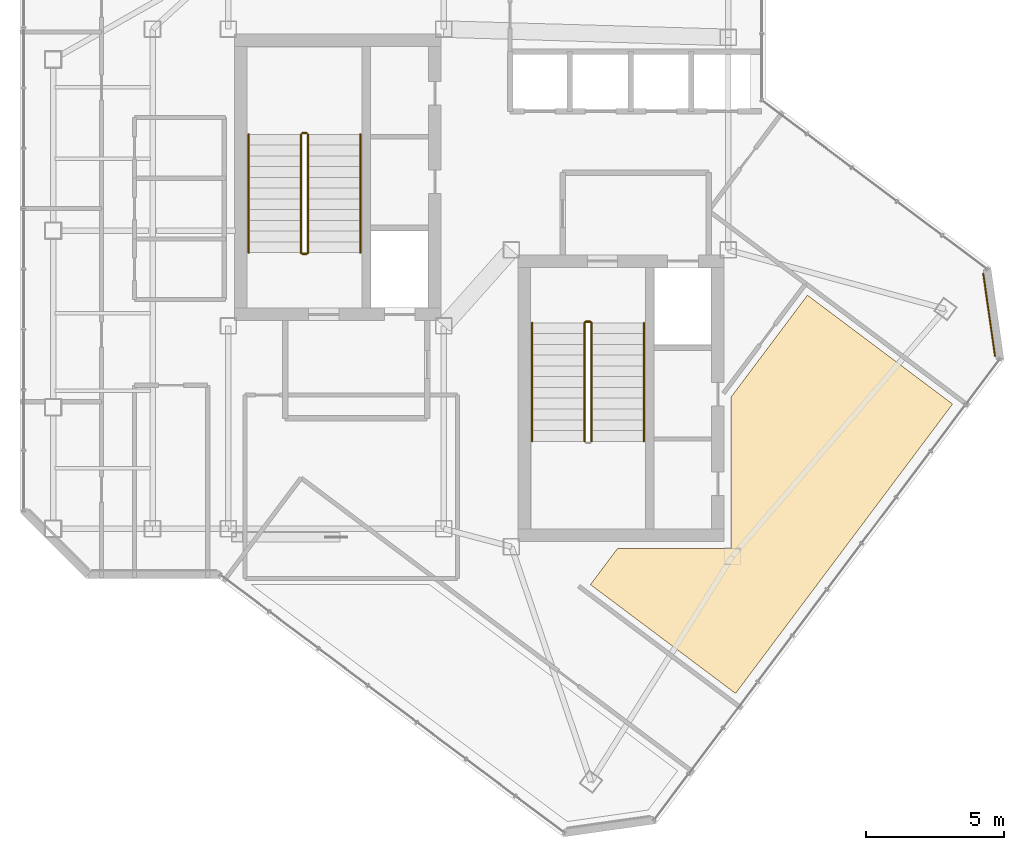
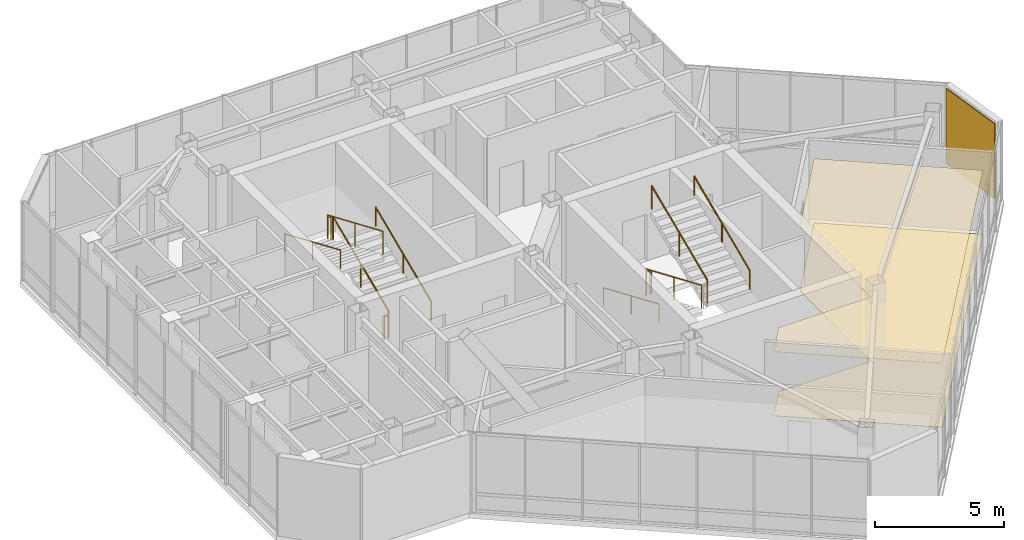
# One storey, part 30 of 31: 13 railings, 3 coverings.
"""IFC4 building model written with IfcOpenShell, lengths in metres."""

from ifc_helpers import new_model, si_unit, direction, frame, origin, origin_2d, place, context, subcontext, project, spatial, polyline, rectangle, circle, outline, extrude, material, layer, layer_set, type_object, element, save


model = new_model("IFC4")

# Units and contexts
model_context = context("Model", 3, precision=1e-05, world=origin(), true_north=direction((0.0, 1.0)))
body_context = subcontext(model_context, "Body", "Model", "MODEL_VIEW")
ifc_project = project(units=[si_unit("LENGTHUNIT", "METRE"), si_unit("AREAUNIT", "SQUARE_METRE"), si_unit("VOLUMEUNIT", "CUBIC_METRE"), si_unit("PLANEANGLEUNIT", "RADIAN"), si_unit("MASSUNIT", "GRAM", prefix="KILO")], contexts=[model_context])

# Site, building, storey
site_placement = place(None, origin())
site = spatial("IfcSite", under=ifc_project, at=site_placement, CompositionType="ELEMENT")
building_placement = place(site_placement, origin())
building = spatial("IfcBuilding", under=site, at=building_placement, Name="Hatsunagi Terrace Concourse", CompositionType="ELEMENT")
storey_placement = place(building_placement, frame((0.0, 0.0, 269.949951171875)))
storey = spatial("IfcBuildingStorey", under=building, at=storey_placement, Name="L71", CompositionType="ELEMENT", Elevation=269.949951171875)

# Coverings
ifc_material_1 = material(Name="Acoustic mineral board", Category="gypsum")
ifc_layer_1 = layer(ifc_material_1, 0.02001953125)
ifc_layer_set_1 = layer_set([ifc_layer_1], Name="AcousticMineralCeiling_20")
covering_type_1 = type_object("IfcCoveringType", Name="AcousticMineralCeiling_20", PredefinedType="CEILING", material=ifc_layer_set_1)
covering_1_placement = place(storey_placement, frame((0.0, 0.0, 3.02001953125)))
element("IfcCovering", 1, at=covering_1_placement, inside=storey, type_object=covering_type_1, Name="Suspended Ceiling L71-1", PredefinedType="CEILING", context=body_context, shape_type="SweptSolid", body=[
    extrude(outline(polyline([(51.77587890625, 29.718017578125), (46.52001953125, 33.659912109375), (43.75, 29.967041015625), (43.75, 24.489990234375), (39.64306640625, 24.489990234375), (38.659912109375, 23.179931640625), (43.916015625, 19.238037109375), (51.77587890625, 29.718017578125)])), origin(), (0.0, 0.0, 1.0), 0.02001953125),
])
ifc_material_2 = material(Name="Hardwood timber", Category="wood")
ifc_layer_2 = layer(ifc_material_2, 0.014892578125)
ifc_layer_set_2 = layer_set([ifc_layer_2], Name="HardwoodTimberFlooring_15")
covering_type_2 = type_object("IfcCoveringType", Name="HardwoodTimberFlooring_15", PredefinedType="FLOORING", material=ifc_layer_set_2)
covering_2_placement = place(storey_placement, origin())
element("IfcCovering", 2, at=covering_2_placement, inside=storey, type_object=covering_type_2, Name="Finished Flooring L71-1", PredefinedType="FLOORING", context=body_context, shape_type="SweptSolid", body=[
    extrude(outline(polyline([(51.77587890625, 29.718017578125), (46.52001953125, 33.659912109375), (43.75, 29.967041015625), (43.75, 24.489990234375), (39.64306640625, 24.489990234375), (38.659912109375, 23.179931640625), (43.916015625, 19.238037109375), (51.77587890625, 29.718017578125)])), origin(), (0.0, 0.0, 1.0), 0.01513671875),
])

# Railings
ifc_material_3 = material(Name="Stainless steel", Category="steel")
ifc_layer_3 = layer(ifc_material_3, 0.044921875)
ifc_layer_set_3 = layer_set([ifc_layer_3], Name="StairPitchHandrail_Tower2000")
railing_type_1 = type_object("IfcRailingType", Name="StairPitchHandrail_Tower2000", PredefinedType="HANDRAIL", material=ifc_layer_set_3)
railing_1_placement = place(storey_placement, frame((30.330078125, 35.199951171875, 0.166748046875)))
element("IfcRailing", 3, at=railing_1_placement, inside=storey, type_object=railing_type_1, Name="L71 ST-A stair handrail 1", PredefinedType="HANDRAIL", context=body_context, shape_type="SweptSolid", body=[
    extrude(circle(Radius=0.02392578125, at=origin_2d()), frame((0.0, 0.0, 0.8759765625), z_axis=(0.0, 0.919558658016, 0.39295276366), x_axis=(-1.0, 0.0, 0.0)), (0.0, 0.0, 1.0), 4.665283203125),
    extrude(circle(Radius=0.02099609375, at=origin_2d()), origin(), (0.0, 0.0, 1.0), 0.851806640625),
    extrude(circle(Radius=0.02099609375, at=origin_2d()), frame((0.0, 2.14501953125, 0.91650390625)), (0.0, 0.0, 1.0), 0.851806640625),
    extrude(circle(Radius=0.02099609375, at=origin_2d()), frame((0.0, 4.2900390625, 1.833251953125)), (0.0, 0.0, 1.0), 0.851806640625),
])
railing_2_placement = place(storey_placement, frame((26.280029296875, 39.489990234375, 2.166748046875)))
element("IfcRailing", 4, at=railing_2_placement, inside=storey, type_object=railing_type_1, Name="L71 ST-A stair handrail 2", PredefinedType="HANDRAIL", context=body_context, shape_type="SweptSolid", body=[
    extrude(circle(Radius=0.02392578125, at=origin_2d()), frame((0.0, 0.0, 0.8759765625), z_axis=(0.0, -0.919558658016, 0.39295276366), x_axis=(1.0, 0.0, 0.0)), (0.0, 0.0, 1.0), 4.665283203125),
    extrude(circle(Radius=0.02099609375, at=origin_2d()), origin(), (0.0, 0.0, 1.0), 0.851806640625),
    extrude(circle(Radius=0.02099609375, at=origin_2d()), frame((0.0, -2.14501953125, 0.91650390625)), (0.0, 0.0, 1.0), 0.851806640625),
    extrude(circle(Radius=0.02099609375, at=origin_2d()), frame((0.0, -4.2900390625, 1.833251953125)), (0.0, 0.0, 1.0), 0.851806640625),
])
railing_3_placement = place(storey_placement, frame((36.550048828125, 32.659912109375, 0.166748046875)))
element("IfcRailing", 5, at=railing_3_placement, inside=storey, type_object=railing_type_1, Name="L71 ST-B stair handrail 1", PredefinedType="HANDRAIL", context=body_context, shape_type="SweptSolid", body=[
    extrude(circle(Radius=0.02392578125, at=origin_2d()), frame((0.0, 0.0, 0.8759765625), z_axis=(0.0, -0.919550576919, 0.392971673899), x_axis=(1.0, 0.0, 0.0)), (0.0, 0.0, 1.0), 4.6650390625),
    extrude(circle(Radius=0.02099609375, at=origin_2d()), origin(), (0.0, 0.0, 1.0), 0.851806640625),
    extrude(circle(Radius=0.02099609375, at=origin_2d()), frame((0.0, -2.14501953125, 0.91650390625)), (0.0, 0.0, 1.0), 0.851806640625),
    extrude(circle(Radius=0.02099609375, at=origin_2d()), frame((0.0, -4.289794921875, 1.833251953125)), (0.0, 0.0, 1.0), 0.851806640625),
])
railing_4_placement = place(storey_placement, frame((40.60009765625, 28.3701171875, 2.166748046875)))
element("IfcRailing", 6, at=railing_4_placement, inside=storey, type_object=railing_type_1, Name="L71 ST-B stair handrail 2", PredefinedType="HANDRAIL", context=body_context, shape_type="SweptSolid", body=[
    extrude(circle(Radius=0.02392578125, at=origin_2d()), frame((0.0, 0.0, 0.8759765625), z_axis=(0.0, 0.919550576919, 0.392971673899), x_axis=(-1.0, 0.0, 0.0)), (0.0, 0.0, 1.0), 4.6650390625),
    extrude(circle(Radius=0.02099609375, at=origin_2d()), origin(), (0.0, 0.0, 1.0), 0.851806640625),
    extrude(circle(Radius=0.02099609375, at=origin_2d()), frame((0.0, 2.14501953125, 0.91650390625)), (0.0, 0.0, 1.0), 0.851806640625),
    extrude(circle(Radius=0.02099609375, at=origin_2d()), frame((0.0, 4.289794921875, 1.833251953125)), (0.0, 0.0, 1.0), 0.851806640625),
])
ifc_material_4 = material(Name="Stainless steel", Category="steel")
ifc_layer_4 = layer(ifc_material_4, 0.06005859375)
ifc_layer_set_4 = layer_set([ifc_layer_4], Name="StairWellGuard_Tower2000")
railing_type_2 = type_object("IfcRailingType", Name="StairWellGuard_Tower2000", PredefinedType="BALUSTRADE", material=ifc_layer_set_4)
railing_5_placement = place(storey_placement, frame((28.429931640625, 35.199951171875, 0.166748046875)))
element("IfcRailing", 7, at=railing_5_placement, inside=storey, type_object=railing_type_2, Name="L71 ST-A stair guard 1", PredefinedType="BALUSTRADE", context=body_context, shape_type="SweptSolid", body=[
    extrude(circle(Radius=0.02392578125, at=origin_2d()), frame((0.0, 0.0, 1.09619140625), z_axis=(0.0, 0.919558658016, 0.39295276366), x_axis=(-1.0, 0.0, 0.0)), (0.0, 0.0, 1.0), 4.665283203125),
    extrude(circle(Radius=0.02099609375, at=origin_2d()), origin(), (0.0, 0.0, 1.0), 1.072021484375),
    extrude(circle(Radius=0.02099609375, at=origin_2d()), frame((0.0, 2.14501953125, 0.91650390625)), (0.0, 0.0, 1.0), 1.072021484375),
    extrude(circle(Radius=0.02099609375, at=origin_2d()), frame((0.0, 4.2900390625, 1.833251953125)), (0.0, 0.0, 1.0), 1.072021484375),
])
railing_6_placement = place(storey_placement, frame((28.3798828125, 39.5400390625, 2.0)))
element("IfcRailing", 8, at=railing_6_placement, inside=storey, type_object=railing_type_2, Name="L71 ST-A stair guard 2", PredefinedType="BALUSTRADE", context=body_context, shape_type="SweptSolid", body=[
    extrude(circle(Radius=0.02392578125, at=origin_2d()), frame((0.0, 0.0, 1.09619140625), z_axis=(-1.0, 0.0, 0.0), x_axis=(0.0, -1.0, 0.0)), (0.0, 0.0, 1.0), 0.14990234375),
    extrude(circle(Radius=0.02099609375, at=origin_2d()), origin(), (0.0, 0.0, 1.0), 1.072021484375),
    extrude(circle(Radius=0.02099609375, at=origin_2d()), frame((-0.14990234375, 0.0, 0.0)), (0.0, 0.0, 1.0), 1.072021484375),
])
railing_7_placement = place(storey_placement, frame((28.179931640625, 39.489990234375, 2.166748046875)))
element("IfcRailing", 9, at=railing_7_placement, inside=storey, type_object=railing_type_2, Name="L71 ST-A stair guard 3", PredefinedType="BALUSTRADE", context=body_context, shape_type="SweptSolid", body=[
    extrude(circle(Radius=0.02392578125, at=origin_2d()), frame((0.0, 0.0, 1.09619140625), z_axis=(0.0, -0.919558658016, 0.39295276366), x_axis=(1.0, 0.0, 0.0)), (0.0, 0.0, 1.0), 4.665283203125),
    extrude(circle(Radius=0.02099609375, at=origin_2d()), origin(), (0.0, 0.0, 1.0), 1.072021484375),
    extrude(circle(Radius=0.02099609375, at=origin_2d()), frame((0.0, -2.14501953125, 0.91650390625)), (0.0, 0.0, 1.0), 1.072021484375),
    extrude(circle(Radius=0.02099609375, at=origin_2d()), frame((0.0, -4.2900390625, 1.833251953125)), (0.0, 0.0, 1.0), 1.072021484375),
])
railing_8_placement = place(storey_placement, frame((28.3798828125, 35.14990234375, 0.0)))
element("IfcRailing", 10, at=railing_8_placement, inside=storey, type_object=railing_type_2, Name="L71 ST-A stair guard 4", PredefinedType="BALUSTRADE", context=body_context, shape_type="SweptSolid", body=[
    extrude(circle(Radius=0.02392578125, at=origin_2d()), frame((0.0, 0.0, 1.09619140625), z_axis=(-1.0, 0.0, 0.0), x_axis=(0.0, -1.0, 0.0)), (0.0, 0.0, 1.0), 0.14990234375),
    extrude(circle(Radius=0.02099609375, at=origin_2d()), origin(), (0.0, 0.0, 1.0), 1.072021484375),
    extrude(circle(Radius=0.02099609375, at=origin_2d()), frame((-0.14990234375, 0.0, 0.0)), (0.0, 0.0, 1.0), 1.072021484375),
])
railing_9_placement = place(storey_placement, frame((38.449951171875, 32.659912109375, 0.166748046875)))
element("IfcRailing", 11, at=railing_9_placement, inside=storey, type_object=railing_type_2, Name="L71 ST-B stair guard 1", PredefinedType="BALUSTRADE", context=body_context, shape_type="SweptSolid", body=[
    extrude(circle(Radius=0.02392578125, at=origin_2d()), frame((0.0, 0.0, 1.09619140625), z_axis=(0.0, -0.919550576919, 0.392971673899), x_axis=(1.0, 0.0, 0.0)), (0.0, 0.0, 1.0), 4.6650390625),
    extrude(circle(Radius=0.02099609375, at=origin_2d()), origin(), (0.0, 0.0, 1.0), 1.072021484375),
    extrude(circle(Radius=0.02099609375, at=origin_2d()), frame((0.0, -2.14501953125, 0.91650390625)), (0.0, 0.0, 1.0), 1.072021484375),
    extrude(circle(Radius=0.02099609375, at=origin_2d()), frame((0.0, -4.289794921875, 1.833251953125)), (0.0, 0.0, 1.0), 1.072021484375),
])
railing_10_placement = place(storey_placement, frame((38.699951171875, 28.3701171875, 2.166748046875)))
element("IfcRailing", 12, at=railing_10_placement, inside=storey, type_object=railing_type_2, Name="L71 ST-B stair guard 3", PredefinedType="BALUSTRADE", context=body_context, shape_type="SweptSolid", body=[
    extrude(circle(Radius=0.02392578125, at=origin_2d()), frame((0.0, 0.0, 1.09619140625), z_axis=(0.0, 0.919550576919, 0.392971673899), x_axis=(-1.0, 0.0, 0.0)), (0.0, 0.0, 1.0), 4.6650390625),
    extrude(circle(Radius=0.02099609375, at=origin_2d()), origin(), (0.0, 0.0, 1.0), 1.072021484375),
    extrude(circle(Radius=0.02099609375, at=origin_2d()), frame((0.0, 2.14501953125, 0.91650390625)), (0.0, 0.0, 1.0), 1.072021484375),
    extrude(circle(Radius=0.02099609375, at=origin_2d()), frame((0.0, 4.289794921875, 1.833251953125)), (0.0, 0.0, 1.0), 1.072021484375),
])
railing_11_placement = place(storey_placement, frame((38.5, 32.7099609375, 0.0)))
element("IfcRailing", 13, at=railing_11_placement, inside=storey, type_object=railing_type_2, Name="L71 ST-B stair guard 4", PredefinedType="BALUSTRADE", context=body_context, shape_type="SweptSolid", body=[
    extrude(circle(Radius=0.02392578125, at=origin_2d()), frame((0.0, 0.0, 1.09619140625), z_axis=(1.0, 0.0, 0.0), x_axis=(0.0, 1.0, 0.0)), (0.0, 0.0, 1.0), 0.14990234375),
    extrude(circle(Radius=0.02099609375, at=origin_2d()), origin(), (0.0, 0.0, 1.0), 1.072021484375),
    extrude(circle(Radius=0.02099609375, at=origin_2d()), frame((0.14990234375, 0.0, 0.0)), (0.0, 0.0, 1.0), 1.072021484375),
])
ifc_material_5 = material(Name="Stainless Steel SUS316 Post-and-Rail Guard", Category="steel")
ifc_layer_5 = layer(ifc_material_5, 0.080078125)
ifc_layer_set_5 = layer_set([ifc_layer_5], Name="TerracePlantedGuardRail_1200")
railing_type_3 = type_object("IfcRailingType", Name="TerracePlantedGuardRail_1200", PredefinedType="GUARDRAIL", material=ifc_layer_set_5)
for number, where, name in (
    (14, (28.179931640625, 35.179931640625, 0.0), "Stair ST-A Well Closure Guard L71"),
    (15, (38.449951171875, 32.679931640625, 0.0), "Stair ST-B Well Closure Guard L71"),
):
    element("IfcRailing", number, at=place(storey_placement, frame(where)), inside=storey, type_object=railing_type_3, Name=name, PredefinedType="GUARDRAIL", context=body_context, shape_type="SweptSolid", body=[
        extrude(circle(Radius=0.02392578125, at=origin_2d()), frame((0.0, 0.0, 1.09619140625), z_axis=(1.0, 0.0, 0.0), x_axis=(0.0, 1.0, 0.0)), (0.0, 0.0, 1.0), 0.25),
        extrude(circle(Radius=0.02099609375, at=origin_2d()), origin(), (0.0, 0.0, 1.0), 1.072021484375),
        extrude(circle(Radius=0.02099609375, at=origin_2d()), frame((0.25, 0.0, 0.0)), (0.0, 0.0, 1.0), 1.072021484375),
    ])

# Covering
ifc_material_6 = material(Name="Unglazed Warm Terracotta Rainscreen Tile", Category="masonry")
ifc_layer_6 = layer(ifc_material_6, 0.044921875)
ifc_layer_set_6 = layer_set([ifc_layer_6], Name="TerracottaRainscreenCladding_45")
covering_type_3 = type_object("IfcCoveringType", Name="TerracottaRainscreenCladding_45", PredefinedType="CLADDING", material=ifc_layer_set_6)
covering_3_placement = place(storey_placement, frame((53.10107421875, 32.9580078125, 0.10009765625), z_axis=(0.0, 0.0, 1.0), x_axis=(0.141250262458, -0.989973920543, 0.0)))
element("IfcCovering", 16, at=covering_3_placement, inside=storey, type_object=covering_type_3, Name="Terracotta Rainscreen Cladding L71-02", PredefinedType="CLADDING", context=body_context, shape_type="SweptSolid", body=[
    extrude(rectangle(XDim=3.0380859375, YDim=0.044921875, at=origin_2d()), origin(), (0.0, 0.0, 1.0), 3.5400390625),
])

save(model, "model.ifc")
